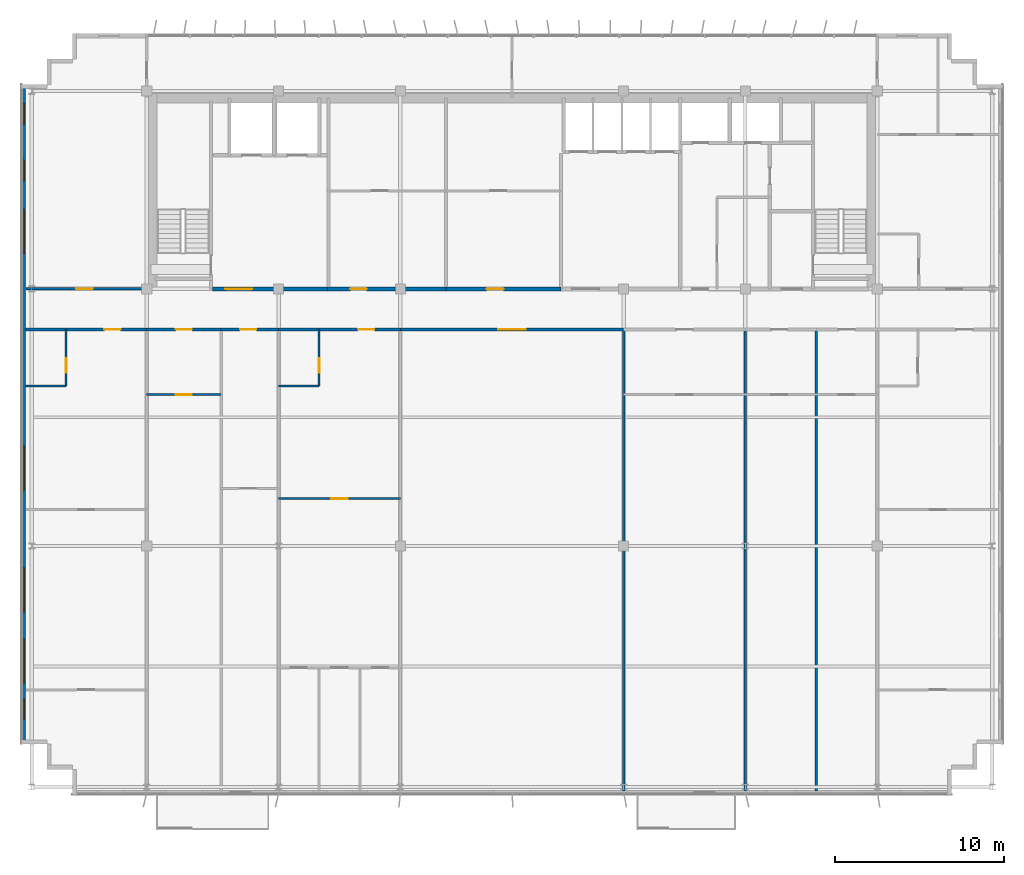
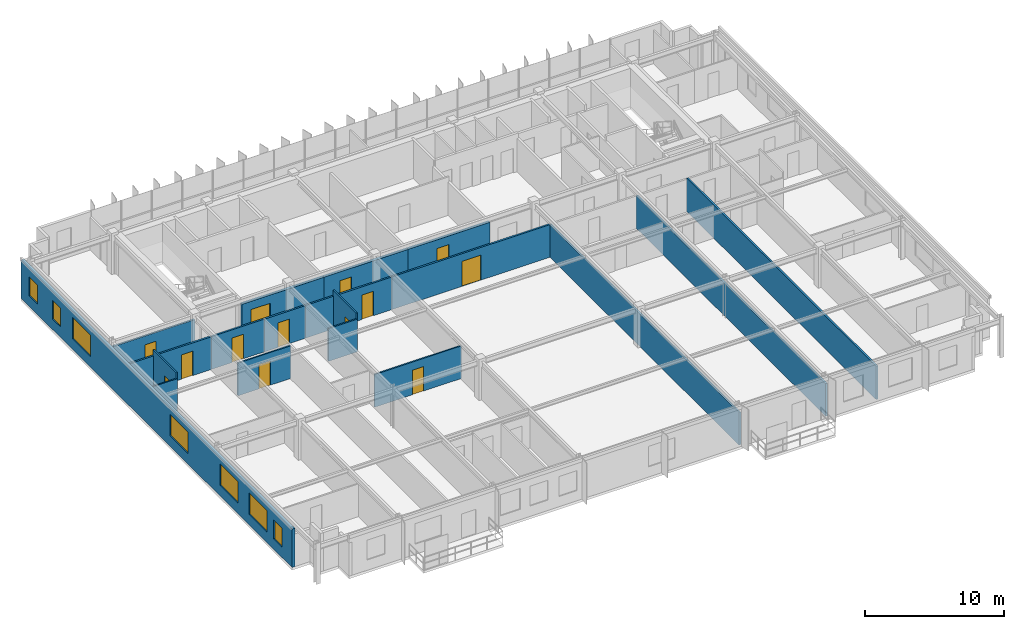
# One storey, part 17 of 22: 19 walls, 13 doors, 7 windows, 20 openings.
"""IFC4 building model written with IfcOpenShell, lengths in metres."""

from ifc_helpers import new_model, si_unit, direction, frame, frame_2d, origin, place, context, subcontext, project, spatial, rectangle, extrude, source, transform, mapped, material, layer, layer_set, type_object, element, fill, save


model = new_model("IFC4")

# Units and contexts
model_context = context("Model", 3, precision=1e-05, world=origin(), true_north=direction((0.0, 1.0)))
body_context = subcontext(model_context, "Body", "Model", "MODEL_VIEW")
ifc_project = project(units=[si_unit("LENGTHUNIT", "METRE"), si_unit("AREAUNIT", "SQUARE_METRE"), si_unit("VOLUMEUNIT", "CUBIC_METRE"), si_unit("PLANEANGLEUNIT", "RADIAN"), si_unit("MASSUNIT", "GRAM", prefix="KILO")], contexts=[model_context])

# Site, building, storey
site_placement = place(None, origin())
site = spatial("IfcSite", under=ifc_project, at=site_placement, CompositionType="ELEMENT")
building_placement = place(site_placement, origin())
building = spatial("IfcBuilding", under=site, at=building_placement, Name="Trelvane Seafront Commons", CompositionType="ELEMENT")
storey_placement = place(building_placement, frame((0.0, 0.0, 277.5)))
storey = spatial("IfcBuildingStorey", under=building, at=storey_placement, Name="L72", CompositionType="ELEMENT", Elevation=277.5)

# Wall, openings, windows
ifc_material_1 = material(Name="Precast concrete C40/50", Category="concrete")
ifc_layer_1 = layer(ifc_material_1, 0.239990234375, Name="ARCH-WALL-EXT240")
ifc_layer_set_1 = layer_set([ifc_layer_1], Name="Precast concrete C40/50")
wall_type_1 = type_object("IfcWallType", Name="ARCH-WALL-EXT240", PredefinedType="SOLIDWALL", material=ifc_layer_set_1)
wall_1_placement = place(storey_placement, frame((8.320068359375, 6.5, 0.0), z_axis=(0.0, 0.0, 1.0), x_axis=(0.0, 1.0, 0.0)))
wall_1 = element("IfcWall", 1, at=wall_1_placement, inside=storey, type_object=wall_type_1, Name="EW-L72-01450", PredefinedType="SOLIDWALL", context=body_context, shape_type="SweptSolid", body=[
    extrude(rectangle(XDim=39.0, YDim=0.239990234375, at=frame_2d((19.5, 0.0))), origin(), (0.0, 0.0, 1.0), 3.3701171875),
])
opening_1_placement = place(wall_1_placement, frame((1.449951171875, 0.0, 0.919921875)))
opening_1 = element("IfcOpeningElement", 2, at=opening_1_placement, cuts=wall_1, Name="Opening W05", PredefinedType="OPENING", context=body_context, shape_type="SweptSolid", body=[
    extrude(rectangle(XDim=1.199951171875, YDim=1.64990234375, at=frame_2d((0.60009765625, 0.824951171875))), frame((0.0, 0.1298828125, 0.0), z_axis=(0.0, -1.0, 0.0), x_axis=(1.0, 0.0, 0.0)), (0.0, 0.0, 1.0), 0.260009765625),
])
opening_2_placement = place(wall_1_placement, frame((3.60009765625, 0.0, 0.919921875)))
opening_2 = element("IfcOpeningElement", 3, at=opening_2_placement, cuts=wall_1, Name="Opening W04", PredefinedType="OPENING", context=body_context, shape_type="SweptSolid", body=[
    extrude(rectangle(XDim=2.60009765625, YDim=1.89990234375, at=frame_2d((1.300048828125, 0.949951171875))), frame((0.0, 0.1298828125, 0.0), z_axis=(0.0, -1.0, 0.0), x_axis=(1.0, 0.0, 0.0)), (0.0, 0.0, 1.0), 0.260009765625),
])
opening_3_placement = place(wall_1_placement, frame((7.800048828125, 0.0, 0.919921875)))
opening_3 = element("IfcOpeningElement", 4, at=opening_3_placement, cuts=wall_1, Name="Opening W04", PredefinedType="OPENING", context=body_context, shape_type="SweptSolid", body=[
    extrude(rectangle(XDim=2.60009765625, YDim=1.89990234375, at=frame_2d((1.300048828125, 0.949951171875))), frame((0.0, 0.1298828125, 0.0), z_axis=(0.0, -1.0, 0.0), x_axis=(1.0, 0.0, 0.0)), (0.0, 0.0, 1.0), 0.260009765625),
])
opening_4_placement = place(wall_1_placement, frame((15.0, 0.0, 0.919921875)))
opening_4 = element("IfcOpeningElement", 5, at=opening_4_placement, cuts=wall_1, Name="Opening W04", PredefinedType="OPENING", context=body_context, shape_type="SweptSolid", body=[
    extrude(rectangle(XDim=2.60009765625, YDim=1.89990234375, at=frame_2d((1.300048828125, 0.949951171875))), frame((0.0, 0.1298828125, 0.0), z_axis=(0.0, -1.0, 0.0), x_axis=(1.0, 0.0, 0.0)), (0.0, 0.0, 1.0), 0.260009765625),
])
opening_5_placement = place(wall_1_placement, frame((29.0, 0.0, 0.919921875)))
opening_5 = element("IfcOpeningElement", 6, at=opening_5_placement, cuts=wall_1, Name="Opening W04", PredefinedType="OPENING", context=body_context, shape_type="SweptSolid", body=[
    extrude(rectangle(XDim=2.60009765625, YDim=1.89990234375, at=frame_2d((1.300048828125, 0.949951171875))), frame((0.0, 0.1298828125, 0.0), z_axis=(0.0, -1.0, 0.0), x_axis=(1.0, 0.0, 0.0)), (0.0, 0.0, 1.0), 0.260009765625),
])
opening_6_placement = place(wall_1_placement, frame((33.300048828125, 0.0, 0.919921875)))
opening_6 = element("IfcOpeningElement", 7, at=opening_6_placement, cuts=wall_1, Name="Opening W05", PredefinedType="OPENING", context=body_context, shape_type="SweptSolid", body=[
    extrude(rectangle(XDim=1.199951171875, YDim=1.64990234375, at=frame_2d((0.60009765625, 0.824951171875))), frame((0.0, 0.1298828125, 0.0), z_axis=(0.0, -1.0, 0.0), x_axis=(1.0, 0.0, 0.0)), (0.0, 0.0, 1.0), 0.260009765625),
])
opening_7_placement = place(wall_1_placement, frame((36.64990234375, 0.0, 0.919921875)))
opening_7 = element("IfcOpeningElement", 8, at=opening_7_placement, cuts=wall_1, Name="Opening W05", PredefinedType="OPENING", context=body_context, shape_type="SweptSolid", body=[
    extrude(rectangle(XDim=1.199951171875, YDim=1.64990234375, at=frame_2d((0.60009765625, 0.824951171875))), frame((0.0, 0.1298828125, 0.0), z_axis=(0.0, -1.0, 0.0), x_axis=(1.0, 0.0, 0.0)), (0.0, 0.0, 1.0), 0.260009765625),
])
ifc_material_2 = material(Name="Low-E coastal double glazing", Category="glass")
window_type_1 = type_object("IfcWindowType", Name="ARCH-WIN-W04", PartitioningType="SINGLE_PANEL", PredefinedType="WINDOW", material=ifc_material_2)
shared_shape_1 = source(origin(), body_context, "Body", "SweptSolid", [
    extrude(rectangle(XDim=2.60009765625, YDim=1.89990234375, at=frame_2d((1.300048828125, 0.949951171875))), frame((0.0, 0.030029296875, 0.0), z_axis=(0.0, -1.0, 0.0), x_axis=(1.0, 0.0, 0.0)), (0.0, 0.0, 1.0), 0.06005859375),
])
window_1_placement = place(opening_2_placement, origin())
window_1 = element("IfcWindow", 9, at=window_1_placement, inside=storey, type_object=window_type_1, Name="WIN-L72-EW-01725", OverallHeight=1.89990234375, OverallWidth=2.60009765625, PartitioningType="SINGLE_PANEL", PredefinedType="WINDOW", context=body_context, shape_type="MappedRepresentation", body=[
    mapped(shared_shape_1, transform((0.0, 0.0, 0.0), x_axis=(1.0, 0.0, 0.0), y_axis=(0.0, 1.0, 0.0), z_axis=(0.0, 0.0, 1.0), scale=1.0)),
])
fill(opening_2, window_1)
window_2_placement = place(opening_3_placement, origin())
window_2 = element("IfcWindow", 10, at=window_2_placement, inside=storey, type_object=window_type_1, Name="WIN-L72-EW-01726", OverallHeight=1.89990234375, OverallWidth=2.60009765625, PartitioningType="SINGLE_PANEL", PredefinedType="WINDOW", context=body_context, shape_type="MappedRepresentation", body=[
    mapped(shared_shape_1, transform((0.0, 0.0, 0.0), x_axis=(1.0, 0.0, 0.0), y_axis=(0.0, 1.0, 0.0), z_axis=(0.0, 0.0, 1.0), scale=1.0)),
])
fill(opening_3, window_2)
window_3_placement = place(opening_4_placement, origin())
window_3 = element("IfcWindow", 11, at=window_3_placement, inside=storey, type_object=window_type_1, Name="WIN-L72-EW-01727", OverallHeight=1.89990234375, OverallWidth=2.60009765625, PartitioningType="SINGLE_PANEL", PredefinedType="WINDOW", context=body_context, shape_type="MappedRepresentation", body=[
    mapped(shared_shape_1, transform((0.0, 0.0, 0.0), x_axis=(1.0, 0.0, 0.0), y_axis=(0.0, 1.0, 0.0), z_axis=(0.0, 0.0, 1.0), scale=1.0)),
])
fill(opening_4, window_3)
window_4_placement = place(opening_5_placement, origin())
window_4 = element("IfcWindow", 12, at=window_4_placement, inside=storey, type_object=window_type_1, Name="WIN-L72-EW-01728", OverallHeight=1.89990234375, OverallWidth=2.60009765625, PartitioningType="SINGLE_PANEL", PredefinedType="WINDOW", context=body_context, shape_type="MappedRepresentation", body=[
    mapped(shared_shape_1, transform((0.0, 0.0, 0.0), x_axis=(1.0, 0.0, 0.0), y_axis=(0.0, 1.0, 0.0), z_axis=(0.0, 0.0, 1.0), scale=1.0)),
])
fill(opening_5, window_4)
window_type_2 = type_object("IfcWindowType", Name="ARCH-WIN-W05", PartitioningType="SINGLE_PANEL", PredefinedType="WINDOW", material=ifc_material_2)
shared_shape_2 = source(origin(), body_context, "Body", "SweptSolid", [
    extrude(rectangle(XDim=1.199951171875, YDim=1.64990234375, at=frame_2d((0.60009765625, 0.824951171875))), frame((0.0, 0.030029296875, 0.0), z_axis=(0.0, -1.0, 0.0), x_axis=(1.0, 0.0, 0.0)), (0.0, 0.0, 1.0), 0.06005859375),
])
window_5_placement = place(opening_1_placement, origin())
window_5 = element("IfcWindow", 13, at=window_5_placement, inside=storey, type_object=window_type_2, Name="WIN-L72-EW-01724", OverallHeight=1.64990234375, OverallWidth=1.199951171875, PartitioningType="SINGLE_PANEL", PredefinedType="WINDOW", context=body_context, shape_type="MappedRepresentation", body=[
    mapped(shared_shape_2, transform((0.0, 0.0, 0.0), x_axis=(1.0, 0.0, 0.0), y_axis=(0.0, 1.0, 0.0), z_axis=(0.0, 0.0, 1.0), scale=1.0)),
])
fill(opening_1, window_5)
window_6_placement = place(opening_6_placement, origin())
window_6 = element("IfcWindow", 14, at=window_6_placement, inside=storey, type_object=window_type_2, Name="WIN-L72-EW-01729", OverallHeight=1.64990234375, OverallWidth=1.199951171875, PartitioningType="SINGLE_PANEL", PredefinedType="WINDOW", context=body_context, shape_type="MappedRepresentation", body=[
    mapped(shared_shape_2, transform((0.0, 0.0, 0.0), x_axis=(1.0, 0.0, 0.0), y_axis=(0.0, 1.0, 0.0), z_axis=(0.0, 0.0, 1.0), scale=1.0)),
])
fill(opening_6, window_6)
window_7_placement = place(opening_7_placement, origin())
window_7 = element("IfcWindow", 15, at=window_7_placement, inside=storey, type_object=window_type_2, Name="WIN-L72-EW-01730", OverallHeight=1.64990234375, OverallWidth=1.199951171875, PartitioningType="SINGLE_PANEL", PredefinedType="WINDOW", context=body_context, shape_type="MappedRepresentation", body=[
    mapped(shared_shape_2, transform((0.0, 0.0, 0.0), x_axis=(1.0, 0.0, 0.0), y_axis=(0.0, 1.0, 0.0), z_axis=(0.0, 0.0, 1.0), scale=1.0)),
])
fill(opening_7, window_7)

# Wall, opening, door
ifc_material_3 = material(Name="Concrete C40/50", Category="concrete")
ifc_layer_2 = layer(ifc_material_3, 0.25, Name="ARCH-WALL-FIRE250")
ifc_layer_set_2 = layer_set([ifc_layer_2], Name="Concrete C40/50")
wall_type_2 = type_object("IfcWallType", Name="ARCH-WALL-FIRE250", PredefinedType="PARTITIONING", material=ifc_layer_set_2)
wall_2_placement = place(storey_placement, frame((19.5, 33.39990234375, 0.0), z_axis=(0.0, 0.0, 1.0), x_axis=(1.0, 0.0, 0.0)))
wall_2 = element("IfcWall", 16, at=wall_2_placement, inside=storey, type_object=wall_type_2, Name="W-L72-CS-FFL-013", PredefinedType="PARTITIONING", context=body_context, shape_type="SweptSolid", body=[
    extrude(rectangle(XDim=6.800048828125, YDim=0.25, at=frame_2d((3.39990234375, 0.0))), origin(), (0.0, 0.0, 1.0), 2.919921875),
])
opening_8_placement = place(wall_2_placement, frame((0.75, 0.0, 0.0)))
opening_8 = element("IfcOpeningElement", 17, at=opening_8_placement, cuts=wall_2, Name="Opening FD-L72-05", PredefinedType="OPENING", context=body_context, shape_type="SweptSolid", body=[
    extrude(rectangle(XDim=1.60009765625, YDim=2.199951171875, at=frame_2d((0.800048828125, 1.10009765625))), frame((0.0, 0.135009765625, 0.0), z_axis=(0.0, -1.0, 0.0), x_axis=(1.0, 0.0, 0.0)), (0.0, 0.0, 1.0), 0.27001953125),
])
ifc_material_4 = material(Name="Powder-coated aluminium frame", Category="aluminium")
door_type_1 = type_object("IfcDoorType", Name="ARCH-DR-FD60-1600", OperationType="DOUBLE_DOOR_SINGLE_SWING", PredefinedType="DOOR", material=ifc_material_4)
shared_shape_3 = source(origin(), body_context, "Body", "SweptSolid", [
    extrude(rectangle(XDim=1.60009765625, YDim=2.199951171875, at=frame_2d((0.800048828125, 1.10009765625))), frame((0.0, 0.02490234375, 0.0), z_axis=(0.0, -1.0, 0.0), x_axis=(1.0, 0.0, 0.0)), (0.0, 0.0, 1.0), 0.050048828125),
])
door_1_placement = place(opening_8_placement, origin())
door_1 = element("IfcDoor", 18, at=door_1_placement, inside=storey, type_object=door_type_1, Name="L72 Firefighting Lift Lobby Double Fire Door", OperationType="DOUBLE_DOOR_SINGLE_SWING", OverallHeight=2.199951171875, OverallWidth=1.60009765625, PredefinedType="DOOR", context=body_context, shape_type="MappedRepresentation", body=[
    mapped(shared_shape_3, transform((0.0, 0.0, 0.0), x_axis=(1.0, 0.0, 0.0), y_axis=(0.0, 1.0, 0.0), z_axis=(0.0, 0.0, 1.0), scale=1.0)),
])
fill(opening_8, door_1)

wall_3_placement = place(storey_placement, frame((26.300048828125, 33.39990234375, 0.0), z_axis=(0.0, 0.0, 1.0), x_axis=(1.0, 0.0, 0.0)))
wall_3 = element("IfcWall", 19, at=wall_3_placement, inside=storey, type_object=wall_type_2, Name="W-L72-CS-FPL-024", PredefinedType="PARTITIONING", context=body_context, shape_type="SweptSolid", body=[
    extrude(rectangle(XDim=7.0, YDim=0.25, at=frame_2d((3.5, 0.0))), origin(), (0.0, 0.0, 1.0), 2.919921875),
])
opening_9_placement = place(wall_3_placement, frame((1.35009765625, 0.0, 0.0)))
opening_9 = element("IfcOpeningElement", 20, at=opening_9_placement, cuts=wall_3, Name="Opening D-L72-12", PredefinedType="OPENING", context=body_context, shape_type="SweptSolid", body=[
    extrude(rectangle(XDim=0.949951171875, YDim=2.14990234375, at=frame_2d((0.47509765625, 1.074951171875))), frame((0.0, 0.135009765625, 0.0), z_axis=(0.0, -1.0, 0.0), x_axis=(1.0, 0.0, 0.0)), (0.0, 0.0, 1.0), 0.27001953125),
])
ifc_material_5 = material(Name="Acoustic timber door leaf", Category="wood")
door_type_2 = type_object("IfcDoorType", Name="ARCH-DR-INT950", OperationType="NOTDEFINED", PredefinedType="DOOR", material=ifc_material_5)
shared_shape_4 = source(origin(), body_context, "Body", "SweptSolid", [
    extrude(rectangle(XDim=0.949951171875, YDim=2.14990234375, at=frame_2d((0.47509765625, 1.074951171875))), frame((0.0, 0.02490234375, 0.0), z_axis=(0.0, -1.0, 0.0), x_axis=(1.0, 0.0, 0.0)), (0.0, 0.0, 1.0), 0.050048828125),
])
door_2_placement = place(opening_9_placement, origin())
door_2 = element("IfcDoor", 21, at=door_2_placement, inside=storey, type_object=door_type_2, Name="L72 Floor Pantry Entrance Door", OperationType="SINGLE_SWING_RIGHT", OverallHeight=2.14990234375, OverallWidth=0.949951171875, PredefinedType="DOOR", context=body_context, shape_type="MappedRepresentation", body=[
    mapped(shared_shape_4, transform((0.0, 0.0, 0.0), x_axis=(1.0, 0.0, 0.0), y_axis=(0.0, 1.0, 0.0), z_axis=(0.0, 0.0, 1.0), scale=1.0)),
])
fill(opening_9, door_2)

wall_4_placement = place(storey_placement, frame((33.300048828125, 33.39990234375, 0.0), z_axis=(0.0, 0.0, 1.0), x_axis=(1.0, 0.0, 0.0)))
wall_4 = element("IfcWall", 22, at=wall_4_placement, inside=storey, type_object=wall_type_2, Name="W-L72-CS-FPM-025", PredefinedType="PARTITIONING", context=body_context, shape_type="SweptSolid", body=[
    extrude(rectangle(XDim=6.800048828125, YDim=0.25, at=frame_2d((3.39990234375, 0.0))), origin(), (0.0, 0.0, 1.0), 2.919921875),
])
opening_10_placement = place(wall_4_placement, frame((2.39990234375, 0.0, 0.0)))
opening_10 = element("IfcOpeningElement", 23, at=opening_10_placement, cuts=wall_4, Name="Opening FD-L72-13", PredefinedType="OPENING", context=body_context, shape_type="SweptSolid", body=[
    extrude(rectangle(XDim=1.0, YDim=2.14990234375, at=frame_2d((0.5, 1.074951171875))), frame((0.0, 0.135009765625, 0.0), z_axis=(0.0, -1.0, 0.0), x_axis=(1.0, 0.0, 0.0)), (0.0, 0.0, 1.0), 0.27001953125),
])
door_type_3 = type_object("IfcDoorType", Name="ARCH-DR-FD60-1000", OperationType="NOTDEFINED", PredefinedType="DOOR", material=ifc_material_4)
shared_shape_5 = source(origin(), body_context, "Body", "SweptSolid", [
    extrude(rectangle(XDim=1.0, YDim=2.14990234375, at=frame_2d((0.5, 1.074951171875))), frame((0.0, 0.02490234375, 0.0), z_axis=(0.0, -1.0, 0.0), x_axis=(1.0, 0.0, 0.0)), (0.0, 0.0, 1.0), 0.050048828125),
])
door_3_placement = place(opening_10_placement, origin())
door_3 = element("IfcDoor", 24, at=door_3_placement, inside=storey, type_object=door_type_3, Name="L72 Trunk Storage Door", OperationType="SINGLE_SWING_LEFT", OverallHeight=2.14990234375, OverallWidth=1.0, PredefinedType="DOOR", context=body_context, shape_type="MappedRepresentation", body=[
    mapped(shared_shape_5, transform((0.0, 0.0, 0.0), x_axis=(1.0, 0.0, 0.0), y_axis=(0.0, 1.0, 0.0), z_axis=(0.0, 0.0, 1.0), scale=1.0)),
])
fill(opening_10, door_3)

ifc_material_6 = material(Name="Gypsum Drywall Acoustic Partition")
ifc_layer_3 = layer(ifc_material_6, 0.1201171875, Name="ARCH-WALL-PART120")
ifc_layer_set_3 = layer_set([ifc_layer_3], Name="Gypsum Drywall Acoustic Partition")
wall_type_3 = type_object("IfcWallType", Name="ARCH-WALL-PART120", PredefinedType="PARTITIONING", material=ifc_layer_set_3)
wall_5_placement = place(storey_placement, frame((10.840087890625, 27.64990234375, 0.0), z_axis=(0.0, 0.0, 1.0), x_axis=(0.0, 1.0, 0.0)))
wall_5 = element("IfcWall", 25, at=wall_5_placement, inside=storey, type_object=wall_type_3, Name="W-L72-U1-BE-054", PredefinedType="PARTITIONING", context=body_context, shape_type="SweptSolid", body=[
    extrude(rectangle(XDim=3.35009765625, YDim=0.1201171875, at=frame_2d((1.675048828125, 0.0))), origin(), (0.0, 0.0, 1.0), 3.3701171875),
])
opening_11_placement = place(wall_5_placement, frame((0.800048828125, 0.0, 0.0)))
opening_11 = element("IfcOpeningElement", 26, at=opening_11_placement, cuts=wall_5, Name="Opening D-L72-30", PredefinedType="OPENING", context=body_context, shape_type="SweptSolid", body=[
    extrude(rectangle(XDim=0.85009765625, YDim=2.10009765625, at=frame_2d((0.425048828125, 1.050048828125))), frame((0.0, 0.070068359375, 0.0), z_axis=(0.0, -1.0, 0.0), x_axis=(1.0, 0.0, 0.0)), (0.0, 0.0, 1.0), 0.14013671875),
])
door_type_4 = type_object("IfcDoorType", Name="ARCH-DR-INT850", OperationType="NOTDEFINED", PredefinedType="DOOR", material=ifc_material_5)
shared_shape_6 = source(origin(), body_context, "Body", "SweptSolid", [
    extrude(rectangle(XDim=0.85009765625, YDim=2.10009765625, at=frame_2d((0.425048828125, 1.050048828125))), frame((0.0, 0.02490234375, 0.0), z_axis=(0.0, -1.0, 0.0), x_axis=(1.0, 0.0, 0.0)), (0.0, 0.0, 1.0), 0.050048828125),
])
door_4_placement = place(opening_11_placement, origin())
door_4 = element("IfcDoor", 27, at=door_4_placement, inside=storey, type_object=door_type_4, Name="L72 Door 30", OperationType="SINGLE_SWING_RIGHT", OverallHeight=2.10009765625, OverallWidth=0.85009765625, PredefinedType="DOOR", context=body_context, shape_type="MappedRepresentation", body=[
    mapped(shared_shape_6, transform((0.0, 0.0, 0.0), x_axis=(1.0, 0.0, 0.0), y_axis=(0.0, 1.0, 0.0), z_axis=(0.0, 0.0, 1.0), scale=1.0)),
])
fill(opening_11, door_4)

# Wall
wall_6_placement = place(storey_placement, frame((8.43994140625, 27.64990234375, 0.0), z_axis=(0.0, 0.0, 1.0), x_axis=(1.0, 0.0, 0.0)))
element("IfcWall", 28, at=wall_6_placement, inside=storey, type_object=wall_type_3, Name="W-L72-U1-BS-055", PredefinedType="PARTITIONING", context=body_context, shape_type="SweptSolid", body=[
    extrude(rectangle(XDim=2.400146484375, YDim=0.1201171875, at=frame_2d((1.2001953125, 0.0))), origin(), (0.0, 0.0, 1.0), 2.8701171875),
])

# Wall, opening, door
wall_7_placement = place(storey_placement, frame((15.60009765625, 27.14990234375, 0.0), z_axis=(0.0, 0.0, 1.0), x_axis=(1.0, 0.0, 0.0)))
wall_7 = element("IfcWall", 29, at=wall_7_placement, inside=storey, type_object=wall_type_3, Name="W-L72-U2-DIV-059", PredefinedType="PARTITIONING", context=body_context, shape_type="SweptSolid", body=[
    extrude(rectangle(XDim=4.39990234375, YDim=0.1201171875, at=frame_2d((2.199951171875, 0.0))), origin(), (0.0, 0.0, 1.0), 2.8701171875),
])
opening_12_placement = place(wall_7_placement, frame((1.72509765625, 0.0, 0.0)))
opening_12 = element("IfcOpeningElement", 30, at=opening_12_placement, cuts=wall_7, Name="Opening D-L72-34", PredefinedType="OPENING", context=body_context, shape_type="SweptSolid", body=[
    extrude(rectangle(XDim=0.949951171875, YDim=2.14990234375, at=frame_2d((0.47509765625, 1.074951171875))), frame((0.0, 0.070068359375, 0.0), z_axis=(0.0, -1.0, 0.0), x_axis=(1.0, 0.0, 0.0)), (0.0, 0.0, 1.0), 0.14013671875),
])
door_5_placement = place(opening_12_placement, origin())
door_5 = element("IfcDoor", 31, at=door_5_placement, inside=storey, type_object=door_type_2, Name="L72 Door 34", OperationType="SINGLE_SWING_RIGHT", OverallHeight=2.14990234375, OverallWidth=0.949951171875, PredefinedType="DOOR", context=body_context, shape_type="MappedRepresentation", body=[
    mapped(shared_shape_4, transform((0.0, 0.0, 0.0), x_axis=(1.0, 0.0, 0.0), y_axis=(0.0, 1.0, 0.0), z_axis=(0.0, 0.0, 1.0), scale=1.0)),
])
fill(opening_12, door_5)

wall_8_placement = place(storey_placement, frame((23.39990234375, 21.0, 0.0), z_axis=(0.0, 0.0, 1.0), x_axis=(1.0, 0.0, 0.0)))
wall_8 = element("IfcWall", 32, at=wall_8_placement, inside=storey, type_object=wall_type_3, Name="W-L72-U4-KL-062", PredefinedType="PARTITIONING", context=body_context, shape_type="SweptSolid", body=[
    extrude(rectangle(XDim=7.2001953125, YDim=0.1201171875, at=frame_2d((3.60009765625, 0.0))), origin(), (0.0, 0.0, 1.0), 2.8701171875),
])
opening_13_placement = place(wall_8_placement, frame((3.125, 0.0, 0.0)))
opening_13 = element("IfcOpeningElement", 33, at=opening_13_placement, cuts=wall_8, Name="Opening D-L72-37", PredefinedType="OPENING", context=body_context, shape_type="SweptSolid", body=[
    extrude(rectangle(XDim=0.949951171875, YDim=2.14990234375, at=frame_2d((0.47509765625, 1.074951171875))), frame((0.0, 0.070068359375, 0.0), z_axis=(0.0, -1.0, 0.0), x_axis=(1.0, 0.0, 0.0)), (0.0, 0.0, 1.0), 0.14013671875),
])
door_6_placement = place(opening_13_placement, origin())
door_6 = element("IfcDoor", 34, at=door_6_placement, inside=storey, type_object=door_type_2, Name="L72 Door 37", OperationType="SINGLE_SWING_LEFT", OverallHeight=2.14990234375, OverallWidth=0.949951171875, PredefinedType="DOOR", context=body_context, shape_type="MappedRepresentation", body=[
    mapped(shared_shape_4, transform((0.0, 0.0, 0.0), x_axis=(1.0, 0.0, 0.0), y_axis=(0.0, 1.0, 0.0), z_axis=(0.0, 0.0, 1.0), scale=1.0)),
])
fill(opening_13, door_6)

wall_9_placement = place(storey_placement, frame((25.800048828125, 27.64990234375, 0.0), z_axis=(0.0, 0.0, 1.0), x_axis=(0.0, 1.0, 0.0)))
wall_9 = element("IfcWall", 35, at=wall_9_placement, inside=storey, type_object=wall_type_3, Name="W-L72-U4-BE-063", PredefinedType="PARTITIONING", context=body_context, shape_type="SweptSolid", body=[
    extrude(rectangle(XDim=3.35009765625, YDim=0.1201171875, at=frame_2d((1.675048828125, 0.0))), origin(), (0.0, 0.0, 1.0), 3.3701171875),
])
opening_14_placement = place(wall_9_placement, frame((0.800048828125, 0.0, 0.0)))
opening_14 = element("IfcOpeningElement", 36, at=opening_14_placement, cuts=wall_9, Name="Opening D-L72-38", PredefinedType="OPENING", context=body_context, shape_type="SweptSolid", body=[
    extrude(rectangle(XDim=0.85009765625, YDim=2.10009765625, at=frame_2d((0.425048828125, 1.050048828125))), frame((0.0, 0.070068359375, 0.0), z_axis=(0.0, -1.0, 0.0), x_axis=(1.0, 0.0, 0.0)), (0.0, 0.0, 1.0), 0.14013671875),
])
door_7_placement = place(opening_14_placement, origin())
door_7 = element("IfcDoor", 37, at=door_7_placement, inside=storey, type_object=door_type_4, Name="L72 Door 38", OperationType="SINGLE_SWING_RIGHT", OverallHeight=2.10009765625, OverallWidth=0.85009765625, PredefinedType="DOOR", context=body_context, shape_type="MappedRepresentation", body=[
    mapped(shared_shape_6, transform((0.0, 0.0, 0.0), x_axis=(1.0, 0.0, 0.0), y_axis=(0.0, 1.0, 0.0), z_axis=(0.0, 0.0, 1.0), scale=1.0)),
])
fill(opening_14, door_7)

# Wall
wall_10_placement = place(storey_placement, frame((23.39990234375, 27.64990234375, 0.0), z_axis=(0.0, 0.0, 1.0), x_axis=(1.0, 0.0, 0.0)))
element("IfcWall", 38, at=wall_10_placement, inside=storey, type_object=wall_type_3, Name="W-L72-U4-BS-064", PredefinedType="PARTITIONING", context=body_context, shape_type="SweptSolid", body=[
    extrude(rectangle(XDim=2.400146484375, YDim=0.1201171875, at=frame_2d((1.2001953125, 0.0))), origin(), (0.0, 0.0, 1.0), 2.8701171875),
])

# Wall, opening, door
ifc_layer_4 = layer(ifc_material_6, 0.14990234375, Name="ARCH-WALL-PART150")
ifc_layer_set_4 = layer_set([ifc_layer_4], Name="Gypsum Drywall Acoustic Partition")
wall_type_4 = type_object("IfcWallType", Name="ARCH-WALL-PART150", PredefinedType="PARTITIONING", material=ifc_layer_set_4)
wall_11_placement = place(storey_placement, frame((8.449951171875, 33.39990234375, 0.0), z_axis=(0.0, 0.0, 1.0), x_axis=(1.0, 0.0, 0.0)))
wall_11 = element("IfcWall", 39, at=wall_11_placement, inside=storey, type_object=wall_type_4, Name="W-L72-NW-ENT-035", PredefinedType="PARTITIONING", context=body_context, shape_type="SweptSolid", body=[
    extrude(rectangle(XDim=7.150146484375, YDim=0.14990234375, at=frame_2d((3.5751953125, 0.0))), origin(), (0.0, 0.0, 1.0), 2.919921875),
])
opening_15_placement = place(wall_11_placement, frame((3.0, 0.0, 0.0)))
opening_15 = element("IfcOpeningElement", 40, at=opening_15_placement, cuts=wall_11, Name="Opening FD-L72-21", PredefinedType="OPENING", context=body_context, shape_type="SweptSolid", body=[
    extrude(rectangle(XDim=0.949951171875, YDim=2.14990234375, at=frame_2d((0.47509765625, 1.074951171875))), frame((0.0, 0.0849609375, 0.0), z_axis=(0.0, -1.0, 0.0), x_axis=(1.0, 0.0, 0.0)), (0.0, 0.0, 1.0), 0.169921875),
])
door_type_5 = type_object("IfcDoorType", Name="ARCH-DR-FD60-950", OperationType="NOTDEFINED", PredefinedType="DOOR", material=ifc_material_4)
door_8_placement = place(opening_15_placement, origin())
door_8 = element("IfcDoor", 41, at=door_8_placement, inside=storey, type_object=door_type_5, Name="L72 NW Suite Entrance Door", OperationType="SINGLE_SWING_LEFT", OverallHeight=2.14990234375, OverallWidth=0.949951171875, PredefinedType="DOOR", context=body_context, shape_type="MappedRepresentation", body=[
    mapped(shared_shape_4, transform((0.0, 0.0, 0.0), x_axis=(1.0, 0.0, 0.0), y_axis=(0.0, 1.0, 0.0), z_axis=(0.0, 0.0, 1.0), scale=1.0)),
])
fill(opening_15, door_8)

# Walls
for number, where, z_axis, x_axis, name in (
    (42, (43.800048828125, 3.72509765625, 0.0), (0.0, 0.0, 1.0), (0.0, 1.0, 0.0), "W-L72-PW-5-049"),
    (43, (51.0, 3.72509765625, 0.0), (0.0, 0.0, 1.0), (0.0, 1.0, 0.0), "W-L72-PW-6-050"),
):
    element("IfcWall", number, at=place(storey_placement, frame(where, z_axis=z_axis, x_axis=x_axis)), inside=storey, type_object=wall_type_4, Name=name, PredefinedType="PARTITIONING", context=body_context, shape_type="SweptSolid", body=[
        extrude(rectangle(XDim=27.27490234375, YDim=0.14990234375, at=frame_2d((13.637451171875, 0.0))), origin(), (0.0, 0.0, 1.0), 2.8701171875),
    ])
wall_12_placement = place(storey_placement, frame((55.199951171875, 3.72509765625, 0.0), z_axis=(0.0, 0.0, 1.0), x_axis=(0.0, 1.0, 0.0)))
element("IfcWall", 44, at=wall_12_placement, inside=storey, type_object=wall_type_4, Name="W-L72-PW-7-051", PredefinedType="PARTITIONING", context=body_context, shape_type="SweptSolid", body=[
    extrude(rectangle(XDim=27.27490234375, YDim=0.14990234375, at=frame_2d((13.637451171875, 0.0))), origin(), (0.0, 0.0, 1.0), 2.919921875),
])

# Wall, opening, door
wall_13_placement = place(storey_placement, frame((8.425048828125, 31.0, 0.0), z_axis=(0.0, 0.0, 1.0), x_axis=(1.0, 0.0, 0.0)))
wall_13 = element("IfcWall", 45, at=wall_13_placement, inside=storey, type_object=wall_type_4, Name="W-L72-CS-BAY-1-056", PredefinedType="PARTITIONING", context=body_context, shape_type="SweptSolid", body=[
    extrude(rectangle(XDim=7.175048828125, YDim=0.14990234375, at=frame_2d((3.58740234375, 0.0))), origin(), (0.0, 0.0, 1.0), 2.8701171875),
])
opening_16_placement = place(wall_13_placement, frame((4.680908203125, 0.0, 0.0)))
opening_16 = element("IfcOpeningElement", 46, at=opening_16_placement, cuts=wall_13, Name="Opening FD-L72-31", PredefinedType="OPENING", context=body_context, shape_type="SweptSolid", body=[
    extrude(rectangle(XDim=0.949951171875, YDim=2.14990234375, at=frame_2d((0.47509765625, 1.074951171875))), frame((0.0, 0.0849609375, 0.0), z_axis=(0.0, -1.0, 0.0), x_axis=(1.0, 0.0, 0.0)), (0.0, 0.0, 1.0), 0.169921875),
])
door_9_placement = place(opening_16_placement, origin())
door_9 = element("IfcDoor", 47, at=door_9_placement, inside=storey, type_object=door_type_5, Name="L72 Unit 01 Entrance Door", OperationType="SINGLE_SWING_LEFT", OverallHeight=2.14990234375, OverallWidth=0.949951171875, PredefinedType="DOOR", context=body_context, shape_type="MappedRepresentation", body=[
    mapped(shared_shape_4, transform((0.0, 0.0, 0.0), x_axis=(1.0, 0.0, 0.0), y_axis=(0.0, 1.0, 0.0), z_axis=(0.0, 0.0, 1.0), scale=1.0)),
])
fill(opening_16, door_9)

wall_14_placement = place(storey_placement, frame((15.60009765625, 31.0, 0.0), z_axis=(0.0, 0.0, 1.0), x_axis=(1.0, 0.0, 0.0)))
wall_14 = element("IfcWall", 48, at=wall_14_placement, inside=storey, type_object=wall_type_4, Name="W-L72-CS-BAY-2-058", PredefinedType="PARTITIONING", context=body_context, shape_type="SweptSolid", body=[
    extrude(rectangle(XDim=4.39990234375, YDim=0.14990234375, at=frame_2d((2.199951171875, 0.0))), origin(), (0.0, 0.0, 1.0), 2.8701171875),
])
opening_17_placement = place(wall_14_placement, frame((1.72509765625, 0.0, 0.0)))
opening_17 = element("IfcOpeningElement", 49, at=opening_17_placement, cuts=wall_14, Name="Opening FD-L72-33", PredefinedType="OPENING", context=body_context, shape_type="SweptSolid", body=[
    extrude(rectangle(XDim=0.949951171875, YDim=2.14990234375, at=frame_2d((0.47509765625, 1.074951171875))), frame((0.0, 0.0849609375, 0.0), z_axis=(0.0, -1.0, 0.0), x_axis=(1.0, 0.0, 0.0)), (0.0, 0.0, 1.0), 0.169921875),
])
door_10_placement = place(opening_17_placement, origin())
door_10 = element("IfcDoor", 50, at=door_10_placement, inside=storey, type_object=door_type_5, Name="L72 Bay 02 Entrance Door", OperationType="SINGLE_SWING_LEFT", OverallHeight=2.14990234375, OverallWidth=0.949951171875, PredefinedType="DOOR", context=body_context, shape_type="MappedRepresentation", body=[
    mapped(shared_shape_4, transform((0.0, 0.0, 0.0), x_axis=(1.0, 0.0, 0.0), y_axis=(0.0, 1.0, 0.0), z_axis=(0.0, 0.0, 1.0), scale=1.0)),
])
fill(opening_17, door_10)

wall_15_placement = place(storey_placement, frame((20.0, 31.0, 0.0), z_axis=(0.0, 0.0, 1.0), x_axis=(1.0, 0.0, 0.0)))
wall_15 = element("IfcWall", 51, at=wall_15_placement, inside=storey, type_object=wall_type_4, Name="W-L72-CS-BAY-3-060", PredefinedType="PARTITIONING", context=body_context, shape_type="SweptSolid", body=[
    extrude(rectangle(XDim=3.39990234375, YDim=0.14990234375, at=frame_2d((1.699951171875, 0.0))), origin(), (0.0, 0.0, 1.0), 2.8701171875),
])
opening_18_placement = place(wall_15_placement, frame((1.131103515625, 0.0, 0.0)))
opening_18 = element("IfcOpeningElement", 52, at=opening_18_placement, cuts=wall_15, Name="Opening FD-L72-35", PredefinedType="OPENING", context=body_context, shape_type="SweptSolid", body=[
    extrude(rectangle(XDim=0.949951171875, YDim=2.14990234375, at=frame_2d((0.47509765625, 1.074951171875))), frame((0.0, 0.0849609375, 0.0), z_axis=(0.0, -1.0, 0.0), x_axis=(1.0, 0.0, 0.0)), (0.0, 0.0, 1.0), 0.169921875),
])
door_11_placement = place(opening_18_placement, origin())
door_11 = element("IfcDoor", 53, at=door_11_placement, inside=storey, type_object=door_type_5, Name="L72 Bay 03 Entrance Door", OperationType="SINGLE_SWING_LEFT", OverallHeight=2.14990234375, OverallWidth=0.949951171875, PredefinedType="DOOR", context=body_context, shape_type="MappedRepresentation", body=[
    mapped(shared_shape_4, transform((0.0, 0.0, 0.0), x_axis=(1.0, 0.0, 0.0), y_axis=(0.0, 1.0, 0.0), z_axis=(0.0, 0.0, 1.0), scale=1.0)),
])
fill(opening_18, door_11)

wall_16_placement = place(storey_placement, frame((23.39990234375, 31.0, 0.0), z_axis=(0.0, 0.0, 1.0), x_axis=(1.0, 0.0, 0.0)))
wall_16 = element("IfcWall", 54, at=wall_16_placement, inside=storey, type_object=wall_type_4, Name="W-L72-CS-BAY-4-065", PredefinedType="PARTITIONING", context=body_context, shape_type="SweptSolid", body=[
    extrude(rectangle(XDim=7.2001953125, YDim=0.14990234375, at=frame_2d((3.60009765625, 0.0))), origin(), (0.0, 0.0, 1.0), 2.8701171875),
])
opening_19_placement = place(wall_16_placement, frame((4.7060546875, 0.0, 0.0)))
opening_19 = element("IfcOpeningElement", 55, at=opening_19_placement, cuts=wall_16, Name="Opening FD-L72-39", PredefinedType="OPENING", context=body_context, shape_type="SweptSolid", body=[
    extrude(rectangle(XDim=0.949951171875, YDim=2.14990234375, at=frame_2d((0.47509765625, 1.074951171875))), frame((0.0, 0.0849609375, 0.0), z_axis=(0.0, -1.0, 0.0), x_axis=(1.0, 0.0, 0.0)), (0.0, 0.0, 1.0), 0.169921875),
])
door_12_placement = place(opening_19_placement, origin())
door_12 = element("IfcDoor", 56, at=door_12_placement, inside=storey, type_object=door_type_5, Name="L72 Unit 04 Entrance Door", OperationType="SINGLE_SWING_LEFT", OverallHeight=2.14990234375, OverallWidth=0.949951171875, PredefinedType="DOOR", context=body_context, shape_type="MappedRepresentation", body=[
    mapped(shared_shape_4, transform((0.0, 0.0, 0.0), x_axis=(1.0, 0.0, 0.0), y_axis=(0.0, 1.0, 0.0), z_axis=(0.0, 0.0, 1.0), scale=1.0)),
])
fill(opening_19, door_12)

wall_17_placement = place(storey_placement, frame((30.60009765625, 31.0, 0.0), z_axis=(0.0, 0.0, 1.0), x_axis=(1.0, 0.0, 0.0)))
wall_17 = element("IfcWall", 57, at=wall_17_placement, inside=storey, type_object=wall_type_4, Name="W-L72-CS-BAY-5-071", PredefinedType="PARTITIONING", context=body_context, shape_type="SweptSolid", body=[
    extrude(rectangle(XDim=13.199951171875, YDim=0.14990234375, at=frame_2d((6.60009765625, 0.0))), origin(), (0.0, 0.0, 1.0), 2.8701171875),
])
opening_20_placement = place(wall_17_placement, frame((5.800048828125, 0.0, 0.0)))
opening_20 = element("IfcOpeningElement", 58, at=opening_20_placement, cuts=wall_17, Name="Opening D-L72-43", PredefinedType="OPENING", context=body_context, shape_type="SweptSolid", body=[
    extrude(rectangle(XDim=1.60009765625, YDim=2.199951171875, at=frame_2d((0.800048828125, 1.10009765625))), frame((0.0, 0.0849609375, 0.0), z_axis=(0.0, -1.0, 0.0), x_axis=(1.0, 0.0, 0.0)), (0.0, 0.0, 1.0), 0.169921875),
])
door_type_6 = type_object("IfcDoorType", Name="ARCH-DR-GLZ1600", OperationType="DOUBLE_DOOR_SINGLE_SWING", PredefinedType="DOOR", material=ifc_material_5)
door_13_placement = place(opening_20_placement, origin())
door_13 = element("IfcDoor", 59, at=door_13_placement, inside=storey, type_object=door_type_6, Name="L72 Commons Lounge 05 Door", OperationType="DOUBLE_DOOR_SINGLE_SWING", OverallHeight=2.199951171875, OverallWidth=1.60009765625, PredefinedType="DOOR", context=body_context, shape_type="MappedRepresentation", body=[
    mapped(shared_shape_3, transform((0.0, 0.0, 0.0), x_axis=(1.0, 0.0, 0.0), y_axis=(0.0, 1.0, 0.0), z_axis=(0.0, 0.0, 1.0), scale=1.0)),
])
fill(opening_20, door_13)

save(model, "model.ifc")
